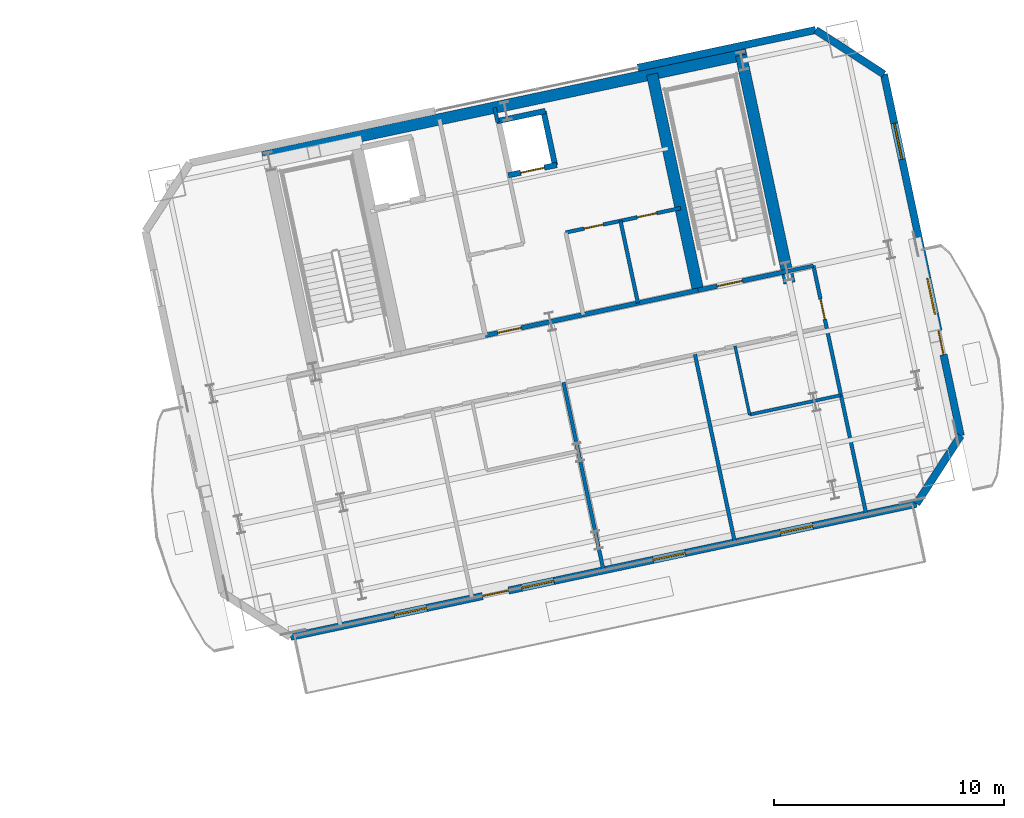
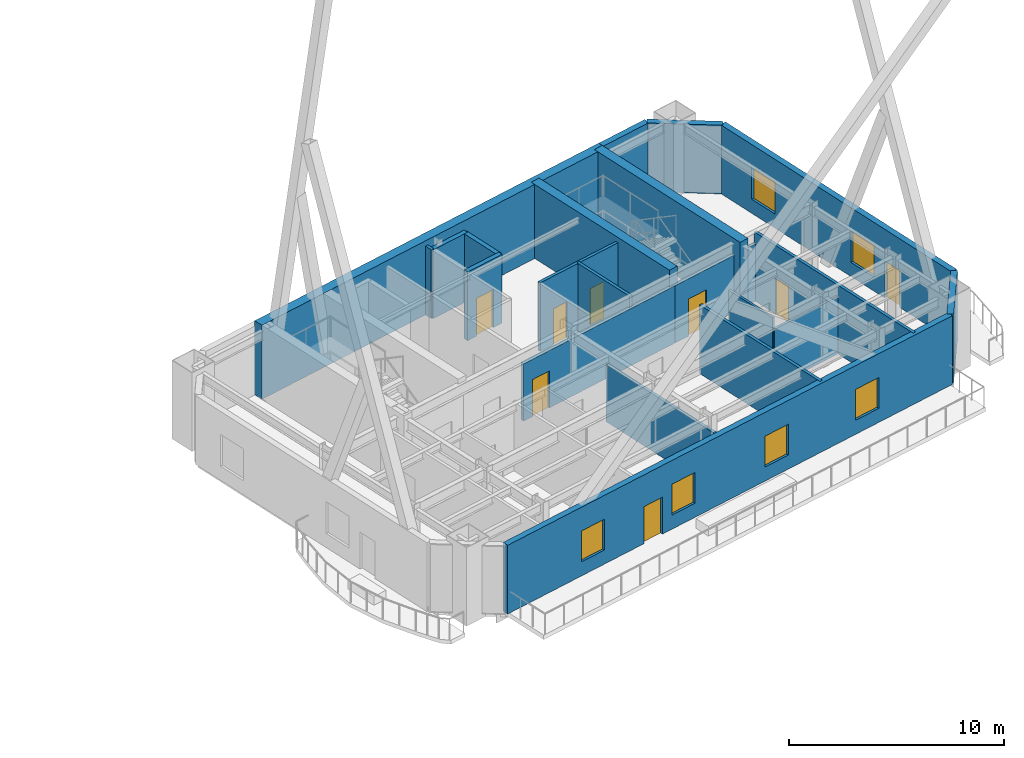
# One storey, part 15 of 22: 22 walls, 8 doors, 6 windows, 14 openings.
"""IFC4 building model written with IfcOpenShell, lengths in metres."""

from ifc_helpers import new_model, si_unit, direction, frame, frame_2d, origin, place, context, subcontext, project, spatial, rectangle, extrude, material, layer, layer_set, type_object, element, fill, save


model = new_model("IFC4")

# Units and contexts
model_context = context("Model", 3, precision=1e-05, world=origin(), true_north=direction((0.0, 1.0)))
body_context = subcontext(model_context, "Body", "Model", "MODEL_VIEW")
ifc_project = project(units=[si_unit("LENGTHUNIT", "METRE"), si_unit("AREAUNIT", "SQUARE_METRE"), si_unit("VOLUMEUNIT", "CUBIC_METRE"), si_unit("PLANEANGLEUNIT", "RADIAN"), si_unit("MASSUNIT", "GRAM", prefix="KILO")], contexts=[model_context])

# Site, building, storey
site_placement = place(None, origin())
site = spatial("IfcSite", under=ifc_project, at=site_placement, CompositionType="ELEMENT")
building_placement = place(site_placement, origin())
building = spatial("IfcBuilding", under=site, at=building_placement, Name="Haevon Station Towers", CompositionType="ELEMENT")
storey_placement = place(building_placement, frame((0.0, 0.0, 133.800048828125)))
storey = spatial("IfcBuildingStorey", under=building, at=storey_placement, Name="L36", CompositionType="ELEMENT", Elevation=133.800048828125)

# Wall, opening, door
ifc_material_1 = material(Name="Gypsum board on steel stud", Category="steel")
ifc_layer_1 = layer(ifc_material_1, 0.199951171875)
ifc_layer_set_1 = layer_set([ifc_layer_1], Name="Gypsum board on steel stud")
wall_type_1 = type_object("IfcWallType", Name="WL-COR200", PredefinedType="PARTITIONING", material=ifc_layer_set_1)
wall_1_placement = place(storey_placement, frame((115.4296875, 40.9873046875, 0.0), z_axis=(0.0, 0.0, 1.0), x_axis=(0.978146596989, 0.207916413008, 0.0)))
wall_1 = element("IfcWall", 1, at=wall_1_placement, inside=storey, type_object=wall_type_1, Name="WL-ST-ST4-L36", PredefinedType="PARTITIONING", context=body_context, shape_type="SweptSolid", body=[
    extrude(rectangle(XDim=3.9501953125, YDim=0.199951171875, at=frame_2d((1.97509765625, 0.0))), origin(), (0.0, 0.0, 1.0), 3.25),
])
opening_1_placement = place(wall_1_placement, frame((0.85009765625, 0.0, 0.0)))
opening_1 = element("IfcOpeningElement", 2, at=opening_1_placement, cuts=wall_1, Name="Opening DR-ST-ST4-L36", PredefinedType="OPENING", context=body_context, shape_type="SweptSolid", body=[
    extrude(rectangle(XDim=1.1201171875, YDim=2.10009765625, at=frame_2d((0.56005859375, 1.050048828125))), frame((0.0, 0.10986328125, 0.0), z_axis=(0.0, -1.0, 0.0), x_axis=(1.0, 0.0, 0.0)), (0.0, 0.0, 1.0), 0.219970703125),
])
ifc_material_2 = material(Name="Engineered oak timber", Category="wood")
door_type_1 = type_object("IfcDoorType", Name="DR-ST-1120", OperationType="NOTDEFINED", PredefinedType="DOOR", material=ifc_material_2)
door_1_placement = place(opening_1_placement, origin())
door_1 = element("IfcDoor", 3, at=door_1_placement, inside=storey, type_object=door_type_1, Name="L36 Escape Stair ST4 Fire Door", OperationType="SINGLE_SWING_RIGHT", OverallHeight=2.10009765625, OverallWidth=1.1201171875, PredefinedType="DOOR", context=body_context, shape_type="SweptSolid", body=[
    extrude(rectangle(XDim=1.1201171875, YDim=2.10009765625, at=frame_2d((0.56005859375, 1.050048828125))), frame((0.0, 0.02490234375, 0.0), z_axis=(0.0, -1.0, 0.0), x_axis=(1.0, 0.0, 0.0)), (0.0, 0.0, 1.0), 0.050048828125),
])
fill(opening_1, door_1)

wall_2_placement = place(storey_placement, frame((106.186279296875, 39.0224609375, 0.0), z_axis=(0.0, 0.0, 1.0), x_axis=(0.978145519981, 0.20792147975, 0.0)))
wall_2 = element("IfcWall", 4, at=wall_2_placement, inside=storey, type_object=wall_type_1, Name="WL-T2CLB-L36", PredefinedType="PARTITIONING", context=body_context, shape_type="SweptSolid", body=[
    extrude(rectangle(XDim=9.449951171875, YDim=0.199951171875, at=frame_2d((4.72509765625, 0.0))), origin(), (0.0, 0.0, 1.0), 3.25),
])
opening_2_placement = place(wall_2_placement, frame((0.550048828125, 0.0, 0.0)))
opening_2 = element("IfcOpeningElement", 5, at=opening_2_placement, cuts=wall_2, Name="Opening DR-T2CLB-L36-1", PredefinedType="OPENING", context=body_context, shape_type="SweptSolid", body=[
    extrude(rectangle(XDim=1.050048828125, YDim=2.10009765625, at=frame_2d((0.52490234375, 1.050048828125))), frame((0.0, 0.10986328125, 0.0), z_axis=(0.0, -1.0, 0.0), x_axis=(1.0, 0.0, 0.0)), (0.0, 0.0, 1.0), 0.219970703125),
])
door_type_2 = type_object("IfcDoorType", Name="DR-FD60-1050", OperationType="NOTDEFINED", PredefinedType="DOOR", material=ifc_material_2)
door_2_placement = place(opening_2_placement, origin())
door_2 = element("IfcDoor", 6, at=door_2_placement, inside=storey, type_object=door_type_2, Name="L36 Tower 2 Core Lift Lobby Door 1", OperationType="SINGLE_SWING_LEFT", OverallHeight=2.10009765625, OverallWidth=1.050048828125, PredefinedType="DOOR", context=body_context, shape_type="SweptSolid", body=[
    extrude(rectangle(XDim=1.050048828125, YDim=2.10009765625, at=frame_2d((0.52490234375, 1.050048828125))), frame((0.0, 0.02490234375, 0.0), z_axis=(0.0, -1.0, 0.0), x_axis=(1.0, 0.0, 0.0)), (0.0, 0.0, 1.0), 0.050048828125),
])
fill(opening_2, door_2)

# Walls
ifc_material_3 = material(Name="Concrete C60/75", Category="concrete")
ifc_layer_2 = layer(ifc_material_3, 0.5)
ifc_layer_set_2 = layer_set([ifc_layer_2], Name="Concrete C60/75")
wall_type_2 = type_object("IfcWallType", Name="WL-CR500", PredefinedType="SHEAR", material=ifc_layer_set_2)
wall_3_placement = place(storey_placement, frame((96.511962890625, 46.78076171875, 0.0), z_axis=(0.0, 0.0, 1.0), x_axis=(0.978148546782, 0.207907239961, 0.0)))
element("IfcWall", 7, at=wall_3_placement, inside=storey, type_object=wall_type_2, Name="WL-T2CR-L36-N", PredefinedType="SHEAR", context=body_context, shape_type="SweptSolid", body=[
    extrude(rectangle(XDim=21.499755859375, YDim=0.5, at=frame_2d((10.75, 0.0))), origin(), (0.0, 0.0, 1.0), 4.199951171875),
])
wall_4_placement = place(storey_placement, frame((119.401611328125, 41.2998046875, 0.0), z_axis=(0.0, 0.0, 1.0), x_axis=(-0.207904342798, 0.978149162575, 0.0)))
element("IfcWall", 8, at=wall_4_placement, inside=storey, type_object=wall_type_2, Name="WL-T2CR-L36-E", PredefinedType="SHEAR", context=body_context, shape_type="SweptSolid", body=[
    extrude(rectangle(XDim=10.1201171875, YDim=0.5, at=frame_2d((5.06005859375, 0.0))), origin(), (0.0, 0.0, 1.0), 4.199951171875),
])
wall_5_placement = place(storey_placement, frame((115.4296875, 40.9873046875, 0.0), z_axis=(0.0, 0.0, 1.0), x_axis=(-0.207903162969, 0.978149413345, 0.0)))
element("IfcWall", 9, at=wall_5_placement, inside=storey, type_object=wall_type_2, Name="WL-T2CR-L36-M2", PredefinedType="SHEAR", context=body_context, shape_type="SweptSolid", body=[
    extrude(rectangle(XDim=9.599853515625, YDim=0.5, at=frame_2d((4.7998046875, 0.0))), origin(), (0.0, 0.0, 1.0), 4.199951171875),
])

# Wall, openings, door, windows
ifc_material_4 = material(Name="Precast concrete C45/55", Category="concrete")
ifc_layer_3 = layer(ifc_material_4, 0.320068359375)
ifc_layer_set_3 = layer_set([ifc_layer_3], Name="Precast concrete C45/55")
wall_type_3 = type_object("IfcWallType", Name="WL-EXT-PIER320", PredefinedType="SOLIDWALL", material=ifc_layer_set_3)
wall_6_placement = place(storey_placement, frame((124.91650390625, 31.70703125, 0.0), z_axis=(0.0, 0.0, 1.0), x_axis=(-0.978146796741, -0.20791547327, 0.0)))
wall_6 = element("IfcWall", 10, at=wall_6_placement, inside=storey, type_object=wall_type_3, Name="WL-T2-L36-S", PredefinedType="SOLIDWALL", context=body_context, shape_type="SweptSolid", body=[
    extrude(rectangle(XDim=27.7998046875, YDim=0.320068359375, at=frame_2d((13.89990234375, 0.0))), origin(), (0.0, 0.0, 1.0), 3.89990234375),
])
opening_3_placement = place(wall_6_placement, frame((18.119384765625, 0.0, 0.0)))
opening_3 = element("IfcOpeningElement", 11, at=opening_3_placement, cuts=wall_6, Name="Opening DR-T2-SKYG-L36", PredefinedType="OPENING", context=body_context, shape_type="SweptSolid", body=[
    extrude(rectangle(XDim=1.14990234375, YDim=2.10009765625, at=frame_2d((0.574951171875, 1.050048828125))), frame((0.0, 0.169921875, 0.0), z_axis=(0.0, -1.0, 0.0), x_axis=(1.0, 0.0, 0.0)), (0.0, 0.0, 1.0), 0.340087890625),
])
opening_4_placement = place(wall_6_placement, frame((21.75, 0.0, 0.800048828125)))
opening_4 = element("IfcOpeningElement", 12, at=opening_4_placement, cuts=wall_6, Name="Opening WN-P145", PredefinedType="OPENING", context=body_context, shape_type="SweptSolid", body=[
    extrude(rectangle(XDim=1.449951171875, YDim=1.75, at=frame_2d((0.72509765625, 0.875))), frame((0.0, 0.169921875, 0.0), z_axis=(0.0, -1.0, 0.0), x_axis=(1.0, 0.0, 0.0)), (0.0, 0.0, 1.0), 0.340087890625),
])
opening_5_placement = place(wall_6_placement, frame((16.09375, 0.0, 0.800048828125)))
opening_5 = element("IfcOpeningElement", 13, at=opening_5_placement, cuts=wall_6, Name="Opening WN-P145", PredefinedType="OPENING", context=body_context, shape_type="SweptSolid", body=[
    extrude(rectangle(XDim=1.449951171875, YDim=1.75, at=frame_2d((0.72509765625, 0.875))), frame((0.0, 0.169921875, 0.0), z_axis=(0.0, -1.0, 0.0), x_axis=(1.0, 0.0, 0.0)), (0.0, 0.0, 1.0), 0.340087890625),
])
opening_6_placement = place(wall_6_placement, frame((10.256103515625, 0.0, 0.800048828125)))
opening_6 = element("IfcOpeningElement", 14, at=opening_6_placement, cuts=wall_6, Name="Opening WN-P145", PredefinedType="OPENING", context=body_context, shape_type="SweptSolid", body=[
    extrude(rectangle(XDim=1.449951171875, YDim=1.75, at=frame_2d((0.72509765625, 0.875))), frame((0.0, 0.169921875, 0.0), z_axis=(0.0, -1.0, 0.0), x_axis=(1.0, 0.0, 0.0)), (0.0, 0.0, 1.0), 0.340087890625),
])
opening_7_placement = place(wall_6_placement, frame((4.60009765625, 0.0, 0.800048828125)))
opening_7 = element("IfcOpeningElement", 15, at=opening_7_placement, cuts=wall_6, Name="Opening WN-P145", PredefinedType="OPENING", context=body_context, shape_type="SweptSolid", body=[
    extrude(rectangle(XDim=1.449951171875, YDim=1.75, at=frame_2d((0.72509765625, 0.875))), frame((0.0, 0.169921875, 0.0), z_axis=(0.0, -1.0, 0.0), x_axis=(1.0, 0.0, 0.0)), (0.0, 0.0, 1.0), 0.340087890625),
])
ifc_material_5 = material(Name="Thermally broken anodised aluminium and laminated safety glass", Category="aluminium")
door_type_3 = type_object("IfcDoorType", Name="DR-BALC-1150", OperationType="NOTDEFINED", PredefinedType="DOOR", material=ifc_material_5)
door_3_placement = place(opening_3_placement, origin())
door_3 = element("IfcDoor", 16, at=door_3_placement, inside=storey, type_object=door_type_3, Name="Tower 2 L36 Sky Garden Terrace Door", OperationType="SINGLE_SWING_LEFT", OverallHeight=2.10009765625, OverallWidth=1.14990234375, PredefinedType="DOOR", context=body_context, shape_type="SweptSolid", body=[
    extrude(rectangle(XDim=1.14990234375, YDim=2.10009765625, at=frame_2d((0.574951171875, 1.050048828125))), frame((0.0, 0.02490234375, 0.0), z_axis=(0.0, -1.0, 0.0), x_axis=(1.0, 0.0, 0.0)), (0.0, 0.0, 1.0), 0.050048828125),
])
fill(opening_3, door_3)
ifc_material_6 = material(Name="Low-E triple glazing in thermally broken aluminium", Category="aluminium")
window_type_1 = type_object("IfcWindowType", Name="WN-P145", PartitioningType="SINGLE_PANEL", PredefinedType="WINDOW", material=ifc_material_6)
window_1_placement = place(opening_4_placement, origin())
window_1 = element("IfcWindow", 17, at=window_1_placement, inside=storey, type_object=window_type_1, Name="WN-T2-L36-S01", OverallHeight=1.75, OverallWidth=1.449951171875, PartitioningType="SINGLE_PANEL", PredefinedType="WINDOW", context=body_context, shape_type="SweptSolid", body=[
    extrude(rectangle(XDim=1.449951171875, YDim=1.75, at=frame_2d((0.72509765625, 0.875))), frame((0.0, 0.030029296875, 0.0), z_axis=(0.0, -1.0, 0.0), x_axis=(1.0, 0.0, 0.0)), (0.0, 0.0, 1.0), 0.06005859375),
])
fill(opening_4, window_1)
window_2_placement = place(opening_5_placement, origin())
window_2 = element("IfcWindow", 18, at=window_2_placement, inside=storey, type_object=window_type_1, Name="WN-T2-L36-S02", OverallHeight=1.75, OverallWidth=1.449951171875, PartitioningType="SINGLE_PANEL", PredefinedType="WINDOW", context=body_context, shape_type="SweptSolid", body=[
    extrude(rectangle(XDim=1.449951171875, YDim=1.75, at=frame_2d((0.72509765625, 0.875))), frame((0.0, 0.030029296875, 0.0), z_axis=(0.0, -1.0, 0.0), x_axis=(1.0, 0.0, 0.0)), (0.0, 0.0, 1.0), 0.06005859375),
])
fill(opening_5, window_2)
window_3_placement = place(opening_6_placement, origin())
window_3 = element("IfcWindow", 19, at=window_3_placement, inside=storey, type_object=window_type_1, Name="WN-T2-L36-S03", OverallHeight=1.75, OverallWidth=1.449951171875, PartitioningType="SINGLE_PANEL", PredefinedType="WINDOW", context=body_context, shape_type="SweptSolid", body=[
    extrude(rectangle(XDim=1.449951171875, YDim=1.75, at=frame_2d((0.72509765625, 0.875))), frame((0.0, 0.030029296875, 0.0), z_axis=(0.0, -1.0, 0.0), x_axis=(1.0, 0.0, 0.0)), (0.0, 0.0, 1.0), 0.06005859375),
])
fill(opening_6, window_3)
window_4_placement = place(opening_7_placement, origin())
window_4 = element("IfcWindow", 20, at=window_4_placement, inside=storey, type_object=window_type_1, Name="WN-T2-L36-S04", OverallHeight=1.75, OverallWidth=1.449951171875, PartitioningType="SINGLE_PANEL", PredefinedType="WINDOW", context=body_context, shape_type="SweptSolid", body=[
    extrude(rectangle(XDim=1.449951171875, YDim=1.75, at=frame_2d((0.72509765625, 0.875))), frame((0.0, 0.030029296875, 0.0), z_axis=(0.0, -1.0, 0.0), x_axis=(1.0, 0.0, 0.0)), (0.0, 0.0, 1.0), 0.06005859375),
])
fill(opening_7, window_4)

# Walls
wall_7_placement = place(storey_placement, frame((112.812744140625, 50.654541015625, 0.0), z_axis=(0.0, 0.0, 1.0), x_axis=(0.978151545833, 0.207893129722, 0.0)))
element("IfcWall", 21, at=wall_7_placement, inside=storey, type_object=wall_type_3, Name="WL-T2-L36-N2", PredefinedType="SOLIDWALL", context=body_context, shape_type="SweptSolid", body=[
    extrude(rectangle(XDim=7.89990234375, YDim=0.320068359375, at=frame_2d((3.949951171875, 0.0))), origin(), (0.0, 0.0, 1.0), 3.89990234375),
])
wall_8_placement = place(storey_placement, frame((120.5400390625, 52.296875, 0.0), z_axis=(0.0, 0.0, 1.0), x_axis=(0.838672309694, -0.544636352948, 0.0)))
element("IfcWall", 22, at=wall_8_placement, inside=storey, type_object=wall_type_3, Name="WL-T2-L36-NEC", PredefinedType="SOLIDWALL", context=body_context, shape_type="SweptSolid", body=[
    extrude(rectangle(XDim=3.535400390625, YDim=0.320068359375, at=frame_2d((1.767578125, 0.0))), origin(), (0.0, 0.0, 1.0), 3.89990234375),
])

# Wall, openings, door, windows
wall_9_placement = place(storey_placement, frame((123.505126953125, 50.371337890625, 0.0), z_axis=(0.0, 0.0, 1.0), x_axis=(0.207922793235, -0.978145240776, 0.0)))
wall_9 = element("IfcWall", 23, at=wall_9_placement, inside=storey, type_object=wall_type_3, Name="WL-T2-L36-E", PredefinedType="SOLIDWALL", context=body_context, shape_type="SweptSolid", body=[
    extrude(rectangle(XDim=16.050048828125, YDim=0.320068359375, at=frame_2d((8.02490234375, 0.0))), origin(), (0.0, 0.0, 1.0), 3.89990234375),
])
opening_8_placement = place(wall_9_placement, frame((11.39990234375, 0.0, 0.0)))
opening_8 = element("IfcOpeningElement", 24, at=opening_8_placement, cuts=wall_9, Name="Opening DR-T2-SCAL-L36-E", PredefinedType="OPENING", context=body_context, shape_type="SweptSolid", body=[
    extrude(rectangle(XDim=1.050048828125, YDim=2.10009765625, at=frame_2d((0.52490234375, 1.050048828125))), frame((0.0, 0.169921875, 0.0), z_axis=(0.0, -1.0, 0.0), x_axis=(1.0, 0.0, 0.0)), (0.0, 0.0, 1.0), 0.340087890625),
])
opening_9_placement = place(wall_9_placement, frame((2.1767578125, 0.0, 0.800048828125)))
opening_9 = element("IfcOpeningElement", 25, at=opening_9_placement, cuts=wall_9, Name="Opening WN-END160", PredefinedType="OPENING", context=body_context, shape_type="SweptSolid", body=[
    extrude(rectangle(XDim=1.60009765625, YDim=1.800048828125, at=frame_2d((0.800048828125, 0.89990234375))), frame((0.0, 0.169921875, 0.0), z_axis=(0.0, -1.0, 0.0), x_axis=(1.0, 0.0, 0.0)), (0.0, 0.0, 1.0), 0.340087890625),
])
opening_10_placement = place(wall_9_placement, frame((9.060791015625, 0.0, 0.800048828125)))
opening_10 = element("IfcOpeningElement", 26, at=opening_10_placement, cuts=wall_9, Name="Opening WN-END160", PredefinedType="OPENING", context=body_context, shape_type="SweptSolid", body=[
    extrude(rectangle(XDim=1.60009765625, YDim=1.800048828125, at=frame_2d((0.800048828125, 0.89990234375))), frame((0.0, 0.169921875, 0.0), z_axis=(0.0, -1.0, 0.0), x_axis=(1.0, 0.0, 0.0)), (0.0, 0.0, 1.0), 0.340087890625),
])
door_type_4 = type_object("IfcDoorType", Name="DR-BALC-1050", OperationType="NOTDEFINED", PredefinedType="DOOR", material=ifc_material_5)
door_4_placement = place(opening_8_placement, origin())
door_4 = element("IfcDoor", 27, at=door_4_placement, inside=storey, type_object=door_type_4, Name="Tower 2 L36 East Scalloped Balcony Door", OperationType="SINGLE_SWING_LEFT", OverallHeight=2.10009765625, OverallWidth=1.050048828125, PredefinedType="DOOR", context=body_context, shape_type="SweptSolid", body=[
    extrude(rectangle(XDim=1.050048828125, YDim=2.10009765625, at=frame_2d((0.52490234375, 1.050048828125))), frame((0.0, 0.02490234375, 0.0), z_axis=(0.0, -1.0, 0.0), x_axis=(1.0, 0.0, 0.0)), (0.0, 0.0, 1.0), 0.050048828125),
])
fill(opening_8, door_4)
window_type_2 = type_object("IfcWindowType", Name="WN-END160", PartitioningType="SINGLE_PANEL", PredefinedType="WINDOW", material=ifc_material_6)
window_5_placement = place(opening_9_placement, origin())
window_5 = element("IfcWindow", 28, at=window_5_placement, inside=storey, type_object=window_type_2, Name="WN-T2-L36-E01", OverallHeight=1.800048828125, OverallWidth=1.60009765625, PartitioningType="SINGLE_PANEL", PredefinedType="WINDOW", context=body_context, shape_type="SweptSolid", body=[
    extrude(rectangle(XDim=1.60009765625, YDim=1.800048828125, at=frame_2d((0.800048828125, 0.89990234375))), frame((0.0, 0.030029296875, 0.0), z_axis=(0.0, -1.0, 0.0), x_axis=(1.0, 0.0, 0.0)), (0.0, 0.0, 1.0), 0.06005859375),
])
fill(opening_9, window_5)
window_6_placement = place(opening_10_placement, origin())
window_6 = element("IfcWindow", 29, at=window_6_placement, inside=storey, type_object=window_type_2, Name="WN-T2-L36-E02", OverallHeight=1.800048828125, OverallWidth=1.60009765625, PartitioningType="SINGLE_PANEL", PredefinedType="WINDOW", context=body_context, shape_type="SweptSolid", body=[
    extrude(rectangle(XDim=1.60009765625, YDim=1.800048828125, at=frame_2d((0.800048828125, 0.89990234375))), frame((0.0, 0.030029296875, 0.0), z_axis=(0.0, -1.0, 0.0), x_axis=(1.0, 0.0, 0.0)), (0.0, 0.0, 1.0), 0.06005859375),
])
fill(opening_10, window_6)

# Walls
wall_10_placement = place(storey_placement, frame((126.84228515625, 34.672119140625, 0.0), z_axis=(0.0, 0.0, 1.0), x_axis=(-0.544684921471, -0.838640767148, 0.0)))
element("IfcWall", 30, at=wall_10_placement, inside=storey, type_object=wall_type_3, Name="WL-T2-L36-SEC", PredefinedType="SOLIDWALL", context=body_context, shape_type="SweptSolid", body=[
    extrude(rectangle(XDim=3.53564453125, YDim=0.320068359375, at=frame_2d((1.767822265625, 0.0))), origin(), (0.0, 0.0, 1.0), 3.89990234375),
])
ifc_layer_4 = layer(ifc_material_1, 0.125)
ifc_layer_set_4 = layer_set([ifc_layer_4], Name="Gypsum board on steel stud")
wall_type_4 = type_object("IfcWallType", Name="WL-PRT125", PredefinedType="PARTITIONING", material=ifc_layer_set_4)
wall_11_placement = place(storey_placement, frame((117.66943359375, 35.5849609375, 0.0), z_axis=(0.0, 0.0, 1.0), x_axis=(-0.207877902534, 0.978154782045, 0.0)))
element("IfcWall", 31, at=wall_11_placement, inside=storey, type_object=wall_type_4, Name="WL-T2PT-L36-13", PredefinedType="PARTITIONING", context=body_context, shape_type="SweptSolid", body=[
    extrude(rectangle(XDim=3.050048828125, YDim=0.125, at=frame_2d((1.52490234375, 0.0))), origin(), (0.0, 0.0, 1.0), 3.89990234375),
])
ifc_layer_5 = layer(ifc_material_1, 0.139892578125)
ifc_layer_set_5 = layer_set([ifc_layer_5], Name="Gypsum board on steel stud")
wall_type_5 = type_object("IfcWallType", Name="WL-PRT140", PredefinedType="PARTITIONING", material=ifc_layer_set_5)
wall_12_placement = place(storey_placement, frame((117.66943359375, 35.5849609375, 0.0), z_axis=(0.0, 0.0, 1.0), x_axis=(0.97815150988, 0.207893298883, 0.0)))
element("IfcWall", 32, at=wall_12_placement, inside=storey, type_object=wall_type_5, Name="WL-T2PT-L36-12", PredefinedType="PARTITIONING", context=body_context, shape_type="SweptSolid", body=[
    extrude(rectangle(XDim=4.057373046875, YDim=0.139892578125, at=frame_2d((2.02880859375, 0.0))), origin(), (0.0, 0.0, 1.0), 3.25),
])
ifc_layer_6 = layer(ifc_material_1, 0.159912109375)
ifc_layer_set_6 = layer_set([ifc_layer_6], Name="Gypsum board on steel stud")
wall_type_6 = type_object("IfcWallType", Name="WL-PRT160", PredefinedType="PARTITIONING", material=ifc_layer_set_6)
wall_13_placement = place(storey_placement, frame((106.721923828125, 48.286376953125, 0.0), z_axis=(0.0, 0.0, 1.0), x_axis=(-0.208092352933, 0.978109182377, 0.0)))
element("IfcWall", 33, at=wall_13_placement, inside=storey, type_object=wall_type_6, Name="WL-T2CW-L36-04", PredefinedType="PARTITIONING", context=body_context, shape_type="SweptSolid", body=[
    extrude(rectangle(XDim=0.64990234375, YDim=0.159912109375, at=frame_2d((0.324951171875, 0.0))), origin(), (0.0, 0.0, 1.0), 3.89990234375),
])
wall_14_placement = place(storey_placement, frame((112.818115234375, 40.43212890625, 0.0), z_axis=(0.0, 0.0, 1.0), x_axis=(-0.207884354546, 0.978153410838, 0.0)))
element("IfcWall", 34, at=wall_14_placement, inside=storey, type_object=wall_type_6, Name="WL-T2CW-L36-06", PredefinedType="PARTITIONING", context=body_context, shape_type="SweptSolid", body=[
    extrude(rectangle(XDim=3.650146484375, YDim=0.159912109375, at=frame_2d((1.8251953125, 0.0))), origin(), (0.0, 0.0, 1.0), 3.89990234375),
])

# Wall, openings, doors
wall_15_placement = place(storey_placement, frame((109.682373046875, 43.497314453125, 0.0), z_axis=(0.0, 0.0, 1.0), x_axis=(0.978149238447, 0.207903985835, 0.0)))
wall_15 = element("IfcWall", 35, at=wall_15_placement, inside=storey, type_object=wall_type_6, Name="WL-T2CW-L36-07", PredefinedType="PARTITIONING", context=body_context, shape_type="SweptSolid", body=[
    extrude(rectangle(XDim=5.099853515625, YDim=0.159912109375, at=frame_2d((2.5498046875, 0.0))), origin(), (0.0, 0.0, 1.0), 3.89990234375),
])
opening_11_placement = place(wall_15_placement, frame((0.81005859375, 0.0, 0.0)))
opening_11 = element("IfcOpeningElement", 36, at=opening_11_placement, cuts=wall_15, Name="Opening DR-WL-T2CW-L36-07-1", PredefinedType="OPENING", context=body_context, shape_type="SweptSolid", body=[
    extrude(rectangle(XDim=0.85009765625, YDim=2.050048828125, at=frame_2d((0.425048828125, 1.02490234375))), frame((0.0, 0.08984375, 0.0), z_axis=(0.0, -1.0, 0.0), x_axis=(1.0, 0.0, 0.0)), (0.0, 0.0, 1.0), 0.179931640625),
])
opening_12_placement = place(wall_15_placement, frame((3.179931640625, 0.0, 0.0)))
opening_12 = element("IfcOpeningElement", 37, at=opening_12_placement, cuts=wall_15, Name="Opening DR-WL-T2CW-L36-07-2", PredefinedType="OPENING", context=body_context, shape_type="SweptSolid", body=[
    extrude(rectangle(XDim=0.85009765625, YDim=2.050048828125, at=frame_2d((0.425048828125, 1.02490234375))), frame((0.0, 0.08984375, 0.0), z_axis=(0.0, -1.0, 0.0), x_axis=(1.0, 0.0, 0.0)), (0.0, 0.0, 1.0), 0.179931640625),
])
door_type_5 = type_object("IfcDoorType", Name="DR-FD30-850", OperationType="NOTDEFINED", PredefinedType="DOOR", material=ifc_material_2)
door_5_placement = place(opening_11_placement, origin())
door_5 = element("IfcDoor", 38, at=door_5_placement, inside=storey, type_object=door_type_5, Name="L36 Tower 2 Core Room Door 7-1", OperationType="SINGLE_SWING_RIGHT", OverallHeight=2.050048828125, OverallWidth=0.85009765625, PredefinedType="DOOR", context=body_context, shape_type="SweptSolid", body=[
    extrude(rectangle(XDim=0.85009765625, YDim=2.050048828125, at=frame_2d((0.425048828125, 1.02490234375))), frame((0.0, 0.02490234375, 0.0), z_axis=(0.0, -1.0, 0.0), x_axis=(1.0, 0.0, 0.0)), (0.0, 0.0, 1.0), 0.050048828125),
])
fill(opening_11, door_5)
door_6_placement = place(opening_12_placement, origin())
door_6 = element("IfcDoor", 39, at=door_6_placement, inside=storey, type_object=door_type_5, Name="L36 Tower 2 Core Room Door 7-2", OperationType="SINGLE_SWING_LEFT", OverallHeight=2.050048828125, OverallWidth=0.85009765625, PredefinedType="DOOR", context=body_context, shape_type="SweptSolid", body=[
    extrude(rectangle(XDim=0.85009765625, YDim=2.050048828125, at=frame_2d((0.425048828125, 1.02490234375))), frame((0.0, 0.02490234375, 0.0), z_axis=(0.0, -1.0, 0.0), x_axis=(1.0, 0.0, 0.0)), (0.0, 0.0, 1.0), 0.050048828125),
])
fill(opening_12, door_6)

# Wall
wall_16_placement = place(storey_placement, frame((119.29345703125, 41.80859375, 0.0), z_axis=(0.0, 0.0, 1.0), x_axis=(0.978177856367, 0.207769298294, 0.0)))
element("IfcWall", 40, at=wall_16_placement, inside=storey, type_object=wall_type_6, Name="WL-T2PT-L36-02", PredefinedType="PARTITIONING", context=body_context, shape_type="SweptSolid", body=[
    extrude(rectangle(XDim=1.175048828125, YDim=0.159912109375, at=frame_2d((0.58740234375, 0.0))), origin(), (0.0, 0.0, 1.0), 3.25),
])

# Wall, opening, door
wall_17_placement = place(storey_placement, frame((122.740234375, 31.244384765625, 0.0), z_axis=(0.0, 0.0, 1.0), x_axis=(-0.207909755675, 0.978148012059, 0.0)))
wall_17 = element("IfcWall", 41, at=wall_17_placement, inside=storey, type_object=wall_type_6, Name="WL-T2PT-L36-04", PredefinedType="PARTITIONING", context=body_context, shape_type="SweptSolid", body=[
    extrude(rectangle(XDim=11.0498046875, YDim=0.159912109375, at=frame_2d((5.52490234375, 0.0))), origin(), (0.0, 0.0, 1.0), 3.89990234375),
])
opening_13_placement = place(wall_17_placement, frame((8.669921875, 0.0, 0.0)))
opening_13 = element("IfcOpeningElement", 42, at=opening_13_placement, cuts=wall_17, Name="Opening DR-WL-T2PT-L36-04-01", PredefinedType="OPENING", context=body_context, shape_type="SweptSolid", body=[
    extrude(rectangle(XDim=0.89990234375, YDim=2.050048828125, at=frame_2d((0.449951171875, 1.02490234375))), frame((0.0, 0.08984375, 0.0), z_axis=(0.0, -1.0, 0.0), x_axis=(1.0, 0.0, 0.0)), (0.0, 0.0, 1.0), 0.179931640625),
])
door_type_6 = type_object("IfcDoorType", Name="DR-INT-900", OperationType="NOTDEFINED", PredefinedType="DOOR", material=ifc_material_2)
door_7_placement = place(opening_13_placement, origin())
door_7 = element("IfcDoor", 43, at=door_7_placement, inside=storey, type_object=door_type_6, Name="L36 Tower 2 Room Door 4-1", OperationType="SINGLE_SWING_LEFT", OverallHeight=2.050048828125, OverallWidth=0.89990234375, PredefinedType="DOOR", context=body_context, shape_type="SweptSolid", body=[
    extrude(rectangle(XDim=0.89990234375, YDim=2.050048828125, at=frame_2d((0.449951171875, 1.02490234375))), frame((0.0, 0.02490234375, 0.0), z_axis=(0.0, -1.0, 0.0), x_axis=(1.0, 0.0, 0.0)), (0.0, 0.0, 1.0), 0.050048828125),
])
fill(opening_13, door_7)

# Walls
wall_18_placement = place(storey_placement, frame((111.3203125, 28.81689453125, 0.0), z_axis=(0.0, 0.0, 1.0), x_axis=(-0.207915405456, 0.978146811156, 0.0)))
element("IfcWall", 44, at=wall_18_placement, inside=storey, type_object=wall_type_6, Name="WL-T2PT-L36-10", PredefinedType="PARTITIONING", context=body_context, shape_type="SweptSolid", body=[
    extrude(rectangle(XDim=8.349853515625, YDim=0.159912109375, at=frame_2d((4.1748046875, 0.0))), origin(), (0.0, 0.0, 1.0), 3.25),
])
wall_19_placement = place(storey_placement, frame((117.0302734375, 30.030517578125, 0.0), z_axis=(0.0, 0.0, 1.0), x_axis=(-0.207909459324, 0.97814807505, 0.0)))
element("IfcWall", 45, at=wall_19_placement, inside=storey, type_object=wall_type_6, Name="WL-T2PT-L36-11", PredefinedType="PARTITIONING", context=body_context, shape_type="SweptSolid", body=[
    extrude(rectangle(XDim=8.35009765625, YDim=0.159912109375, at=frame_2d((4.175048828125, 0.0))), origin(), (0.0, 0.0, 1.0), 3.89990234375),
])

# Wall, opening, door
ifc_material_7 = material(Name="Concrete C40/50", Category="concrete")
ifc_layer_7 = layer(ifc_material_7, 0.239990234375)
ifc_layer_set_7 = layer_set([ifc_layer_7], Name="Concrete C40/50")
wall_type_7 = type_object("IfcWallType", Name="WL-SHF240", PredefinedType="PARTITIONING", material=ifc_layer_set_7)
wall_20_placement = place(storey_placement, frame((107.18115234375, 45.9814453125, 0.0), z_axis=(0.0, 0.0, 1.0), x_axis=(0.97813528961, 0.207969601673, 0.0)))
wall_20 = element("IfcWall", 46, at=wall_20_placement, inside=storey, type_object=wall_type_7, Name="WL-SHF-PL8-L36", PredefinedType="PARTITIONING", context=body_context, shape_type="SweptSolid", body=[
    extrude(rectangle(XDim=2.159912109375, YDim=0.239990234375, at=frame_2d((1.080078125, 0.0))), origin(), (0.0, 0.0, 1.0), 3.89990234375),
])
opening_14_placement = place(wall_20_placement, frame((0.554931640625, 0.0, 0.0)))
opening_14 = element("IfcOpeningElement", 47, at=opening_14_placement, cuts=wall_20, Name="Opening LD-PL8-L36", PredefinedType="OPENING", context=body_context, shape_type="SweptSolid", body=[
    extrude(rectangle(XDim=1.050048828125, YDim=2.14990234375, at=frame_2d((0.52490234375, 1.074951171875))), frame((0.0, 0.1298828125, 0.0), z_axis=(0.0, -1.0, 0.0), x_axis=(1.0, 0.0, 0.0)), (0.0, 0.0, 1.0), 0.260009765625),
])
ifc_material_8 = material(Name="Stainless steel and rated core", Category="steel")
door_type_7 = type_object("IfcDoorType", Name="LD-PL1050", OperationType="SLIDING_TO_LEFT", PredefinedType="DOOR", material=ifc_material_8)
door_8_placement = place(opening_14_placement, origin())
door_8 = element("IfcDoor", 48, at=door_8_placement, inside=storey, type_object=door_type_7, Name="L36 Lift PL8 Sliding Landing Door", OperationType="SLIDING_TO_LEFT", OverallHeight=2.14990234375, OverallWidth=1.050048828125, PredefinedType="DOOR", context=body_context, shape_type="SweptSolid", body=[
    extrude(rectangle(XDim=1.050048828125, YDim=2.14990234375, at=frame_2d((0.52490234375, 1.074951171875))), frame((0.0, 0.02490234375, 0.0), z_axis=(0.0, -1.0, 0.0), x_axis=(1.0, 0.0, 0.0)), (0.0, 0.0, 1.0), 0.050048828125),
])
fill(opening_14, door_8)

# Walls
wall_21_placement = place(storey_placement, frame((106.68212890625, 48.3291015625, 0.0), z_axis=(0.0, 0.0, 1.0), x_axis=(0.978158276388, 0.207861459473, 0.0)))
element("IfcWall", 49, at=wall_21_placement, inside=storey, type_object=wall_type_7, Name="WL-SHF-PL8-L36-N", PredefinedType="PARTITIONING", context=body_context, shape_type="SweptSolid", body=[
    extrude(rectangle(XDim=2.159912109375, YDim=0.239990234375, at=frame_2d((1.080078125, 0.0))), origin(), (0.0, 0.0, 1.0), 3.89990234375),
])
wall_22_placement = place(storey_placement, frame((109.2158203125, 46.413818359375, 0.0), z_axis=(0.0, 0.0, 1.0), x_axis=(-0.207917150959, 0.978146440129, 0.0)))
element("IfcWall", 50, at=wall_22_placement, inside=storey, type_object=wall_type_7, Name="WL-SHF-PL8-L36-E", PredefinedType="PARTITIONING", context=body_context, shape_type="SweptSolid", body=[
    extrude(rectangle(XDim=2.400146484375, YDim=0.239990234375, at=frame_2d((1.2001953125, 0.0))), origin(), (0.0, 0.0, 1.0), 3.89990234375),
])

save(model, "model.ifc")
